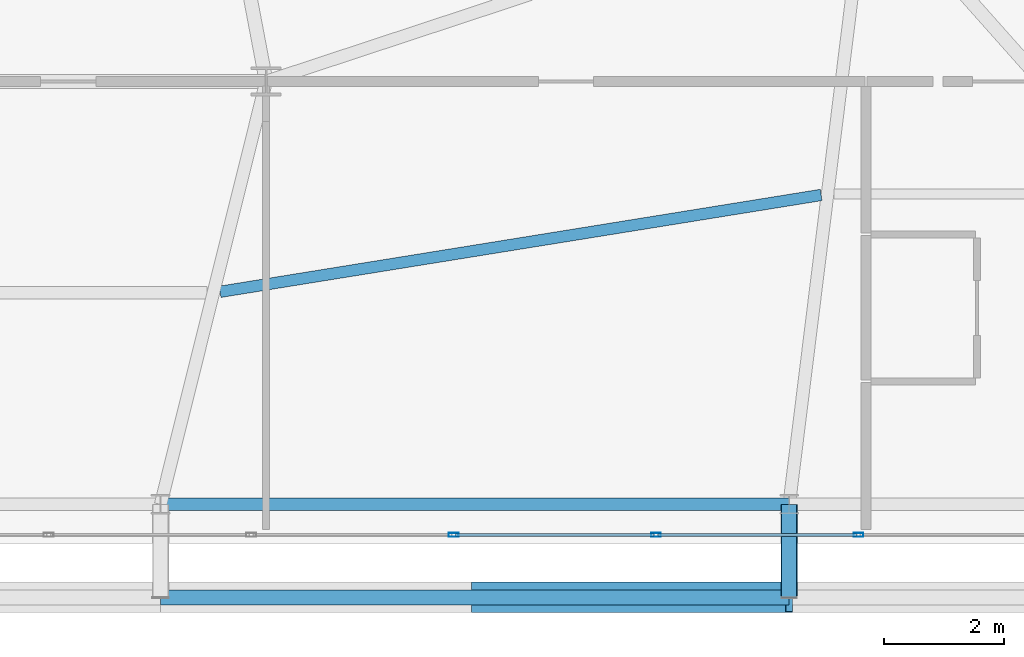
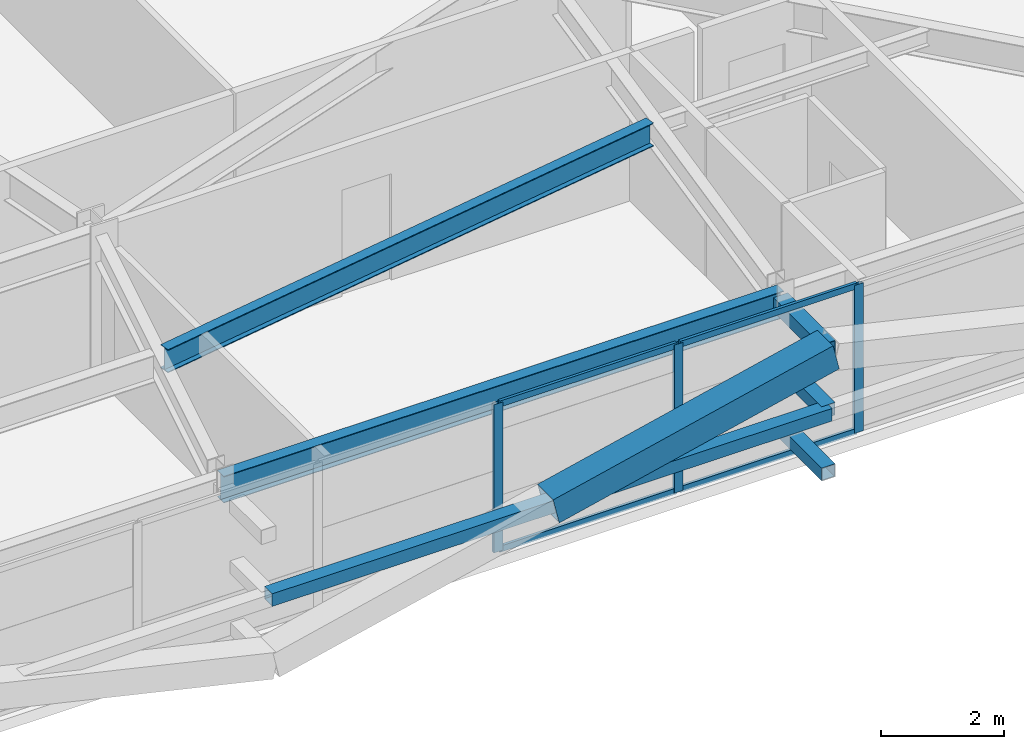
# One storey, part 21 of 58: 12 members, 2 beams, 1 element without a shape of its own.
"""IFC4 building model written with IfcOpenShell, lengths in metres."""

from ifc_helpers import new_model, si_unit, direction, frame, origin, origin_2d, place, context, subcontext, project, spatial, hollow_rectangle, i_section, extrude, source, transform, mapped, material, layer, layer_set, material_profile, profile_set, type_object, element, aggregate, save


model = new_model("IFC4")

# Units and contexts
model_context = context("Model", 3, precision=1e-05, world=origin(), true_north=direction((0.0, 1.0)))
body_context = subcontext(model_context, "Body", "Model", "MODEL_VIEW")
ifc_project = project(units=[si_unit("LENGTHUNIT", "METRE"), si_unit("AREAUNIT", "SQUARE_METRE"), si_unit("VOLUMEUNIT", "CUBIC_METRE"), si_unit("PLANEANGLEUNIT", "RADIAN"), si_unit("MASSUNIT", "GRAM", prefix="KILO")], contexts=[model_context])

# Site, building, storey
site_placement = place(None, origin())
site = spatial("IfcSite", under=ifc_project, at=site_placement, CompositionType="ELEMENT")
building_placement = place(site_placement, origin())
building = spatial("IfcBuilding", under=site, at=building_placement, Name="Taldren Reach Tower", CompositionType="ELEMENT")
storey_placement = place(building_placement, frame((0.0, 0.0, 32.550048828125)))
storey = spatial("IfcBuildingStorey", under=building, at=storey_placement, Name="L09", CompositionType="ELEMENT", Elevation=32.550048828125)

# Beams
ifc_material_1 = material(Name="Steel Gr 350 (350PLUS)", Category="steel")
ifc_material_profile_1 = material_profile(ifc_material_1, i_section(OverallWidth=0.208984375, OverallDepth=0.528076171875, WebThickness=0.009521484375, FlangeThickness=0.01318359375, at=origin_2d()), Name="530UB82.0")
ifc_profile_set_1 = profile_set([ifc_material_profile_1], Name="Steel Gr 350 (350PLUS)")
beam_type_1 = type_object("IfcBeamType", Name="SP-UB530B", PredefinedType="SPANDREL", material=ifc_profile_set_1)
shared_shape_1 = source(origin(), body_context, "Body", "SweptSolid", [
    extrude(i_section(OverallWidth=0.208984375, OverallDepth=0.528076171875, WebThickness=0.009521484375, FlangeThickness=0.01318359375, at=origin_2d()), origin(), (0.0, 0.0, 1.0), 10.47998046875),
])
beam_1_placement = place(storey_placement, frame((40.239990234375, 2.14990234375, 2.666015625), z_axis=(1.0, 0.0, 0.0), x_axis=(0.0, 1.0, 0.0)))
element("IfcBeam", 1, at=beam_1_placement, inside=storey, type_object=beam_type_1, Name="Perimeter spandrel B1 S4-S5 L09", PredefinedType="SPANDREL", context=body_context, shape_type="MappedRepresentation", body=[
    mapped(shared_shape_1, transform((0.0, 0.0, 0.0), scale=1.0)),
])
ifc_material_profile_2 = material_profile(ifc_material_1, i_section(OverallWidth=0.19091796875, OverallDepth=0.4599609375, WebThickness=0.010009765625, FlangeThickness=0.01611328125, at=origin_2d()), Name="460UB82.1")
ifc_profile_set_2 = profile_set([ifc_material_profile_2], Name="Steel Gr 350 (350PLUS)")
beam_type_2 = type_object("IfcBeamType", Name="BM-UB460A", PredefinedType="BEAM", material=ifc_profile_set_2)
shared_shape_2 = source(origin(), body_context, "Body", "SweptSolid", [
    extrude(i_section(OverallWidth=0.19091796875, OverallDepth=0.4599609375, WebThickness=0.010009765625, FlangeThickness=0.01611328125, at=origin_2d()), origin(), (0.0, 0.0, 1.0), 10.1494140625),
])
beam_2_placement = place(storey_placement, frame((41.232177734375, 5.693115234375, 2.699951171875), z_axis=(0.987266967452, 0.159072106224, 0.0), x_axis=(-0.159072106224, 0.987266967452, 0.0)))
element("IfcBeam", 2, at=beam_2_placement, inside=storey, type_object=beam_type_2, Name="Secondary floor beam B1 J4 L09", PredefinedType="BEAM", context=body_context, shape_type="MappedRepresentation", body=[
    mapped(shared_shape_2, transform((0.0, 0.0, 0.0), scale=1.0)),
])

# Members
ifc_material_2 = material(Name="Steel Gr 450 (C450L0)", Category="steel")
ifc_material_profile_3 = material_profile(ifc_material_2, hollow_rectangle(XDim=0.27490234375, YDim=0.27490234375, WallThickness=0.00927734375, at=origin_2d()), Name="275x275x9.3SHS")
ifc_profile_set_3 = profile_set([ifc_material_profile_3], Name="Steel Gr 450 (C450L0)")
member_type_1 = type_object("IfcMemberType", Name="MB-TIE273", PredefinedType="STRUT", material=ifc_profile_set_3)
shared_shape_3 = source(origin(), body_context, "Body", "SweptSolid", [
    extrude(hollow_rectangle(XDim=0.27490234375, YDim=0.27490234375, WallThickness=0.00927734375, at=origin_2d()), origin(), (0.0, 0.0, 1.0), 1.5498046875),
])
member_1_placement = place(storey_placement, frame((50.719970703125, 2.14990234375, 2.64990234375), z_axis=(0.0, -1.0, 0.0), x_axis=(1.0, 0.0, 0.0)))
element("IfcMember", 3, at=member_1_placement, inside=storey, type_object=member_type_1, Name="Exoskeleton diaphragm tie strut B1-S5 L09", PredefinedType="STRUT", context=body_context, shape_type="MappedRepresentation", body=[
    mapped(shared_shape_3, transform((0.0, 0.0, 0.0), scale=1.0)),
])
ifc_material_profile_4 = material_profile(ifc_material_2, hollow_rectangle(XDim=0.510009765625, YDim=0.510009765625, WallThickness=0.02001953125, at=origin_2d()), Name="510x510x20.0SHS")
ifc_profile_set_4 = profile_set([ifc_material_profile_4], Name="Steel Gr 450 (C450L0)")
member_type_2 = type_object("IfcMemberType", Name="MB-EXO508", PredefinedType="BRACE", material=ifc_profile_set_4)
shared_shape_4 = source(origin(), body_context, "Body", "SweptSolid", [
    extrude(hollow_rectangle(XDim=0.510009765625, YDim=0.510009765625, WallThickness=0.02001953125, at=origin_2d()), origin(), (0.0, 0.0, 1.0), 5.37890625),
])
member_2_placement = place(storey_placement, frame((45.47998046875, 0.60009765625, 1.43505859375), z_axis=(0.974161966843, 0.0, 0.225850531007), x_axis=(0.0, 1.0, 0.0)))
element("IfcMember", 4, at=member_2_placement, inside=storey, type_object=member_type_2, Name="Exoskeleton Diagrid Brace B1-S4 L09", PredefinedType="BRACE", context=body_context, shape_type="MappedRepresentation", body=[
    mapped(shared_shape_4, transform((0.0, 0.0, 0.0), scale=1.0)),
])
ifc_material_3 = material(Name="Steel Gr 350 (C350L0)", Category="steel")
ifc_material_profile_5 = material_profile(ifc_material_3, hollow_rectangle(XDim=0.25, YDim=0.25, WallThickness=0.010009765625, at=origin_2d()), Name="250x250x10.0SHS")
ifc_profile_set_5 = profile_set([ifc_material_profile_5], Name="Steel Gr 350 (C350L0)")
member_type_3 = type_object("IfcMemberType", Name="MB-POST250", PredefinedType="POST", material=ifc_profile_set_5)
shared_shape_5 = source(origin(), body_context, "Body", "SweptSolid", [
    extrude(hollow_rectangle(XDim=0.25, YDim=0.25, WallThickness=0.010009765625, at=origin_2d()), origin(), (0.0, 0.0, 1.0), 10.47998046875),
])
member_3_placement = place(storey_placement, frame((40.239990234375, 0.60009765625, 1.43505859375), z_axis=(1.0, 0.0, 0.0), x_axis=(0.0, 1.0, 0.0)))
element("IfcMember", 5, at=member_3_placement, inside=storey, type_object=member_type_3, Name="Exoskeleton mid-height ring chord B1-S4 L09", PredefinedType="POST", context=body_context, shape_type="MappedRepresentation", body=[
    mapped(shared_shape_5, transform((0.0, 0.0, 0.0), scale=1.0)),
])
shared_shape_6 = source(origin(), body_context, "Body", "SweptSolid", [
    extrude(hollow_rectangle(XDim=0.25, YDim=0.25, WallThickness=0.010009765625, at=origin_2d()), origin(), (0.0, 0.0, 1.0), 1.5498046875),
])
for number, where, z_axis, x_axis, name in (
    (6, (50.719970703125, 2.14990234375, 0.219970703125), (0.0, -1.0, 0.0), (1.0, 0.0, 0.0), "Exoskeleton base diaphragm tie strut B1-S5 L09"),
    (7, (50.719970703125, 2.14990234375, 1.43505859375), (0.0, -1.0, 0.0), (1.0, 0.0, 0.0), "Exoskeleton mid-tier diaphragm tie B1-S5 L09"),
):
    element("IfcMember", number, at=place(storey_placement, frame(where, z_axis=z_axis, x_axis=x_axis)), inside=storey, type_object=member_type_3, Name=name, PredefinedType="POST", context=body_context, shape_type="MappedRepresentation", body=[
        mapped(shared_shape_6, transform((0.0, 0.0, 0.0), scale=1.0)),
    ])

# Curtain wall, members
ifc_material_4 = material(Name="Aluminium and Low-E Glass Unitised System", Category="aluminium")
ifc_layer = layer(ifc_material_4, 0.159912109375)
ifc_layer_set = layer_set([ifc_layer], Name="Aluminium and Low-E Glass Unitised System")
curtain_wall_type = type_object("IfcCurtainWallType", Name="CW-SYS-2", PredefinedType="NOTDEFINED", material=ifc_layer_set)
curtain_wall_placement = place(storey_placement, origin())
curtain_wall = element("IfcCurtainWall", 8, at=curtain_wall_placement, inside=storey, type_object=curtain_wall_type, Name="Unitised curtain wall CW-L09-S", PredefinedType="NOTDEFINED")
ifc_material_5 = material(Name="Anodised Aluminium 6063-T6", Category="aluminium")
ifc_material_profile_6 = material_profile(ifc_material_5, hollow_rectangle(XDim=0.06494140625, YDim=0.1650390625, WallThickness=0.00390625, at=origin_2d()), Name="ALU-165x65x4RHS")
ifc_profile_set_6 = profile_set([ifc_material_profile_6], Name="Anodised Aluminium 6063-T6")
member_type_4 = type_object("IfcMemberType", Name="CW-MUL-165", PredefinedType="MULLION", material=ifc_profile_set_6)
shared_shape_7 = source(origin(), body_context, "Body", "SweptSolid", [
    extrude(hollow_rectangle(XDim=0.06494140625, YDim=0.1650390625, WallThickness=0.00390625, at=origin_2d()), origin(), (0.0, 0.0, 1.0), 2.929931640625),
])
member_4_placement = place(storey_placement, frame((45.125, 1.639892578125, 0.0), z_axis=(0.0, 0.0, 1.0), x_axis=(0.0, 1.0, 0.0)))
member_4 = element("IfcMember", 9, at=member_4_placement, type_object=member_type_4, Name="CW-2 mullion 12", PredefinedType="MULLION", context=body_context, shape_type="MappedRepresentation", body=[
    mapped(shared_shape_7, transform((0.0, 0.0, 0.0), scale=1.0)),
])
member_5_placement = place(storey_placement, frame((48.5, 1.639892578125, 0.0), z_axis=(0.0, 0.0, 1.0), x_axis=(0.0, 1.0, 0.0)))
member_5 = element("IfcMember", 10, at=member_5_placement, type_object=member_type_4, Name="CW-2 mullion 13", PredefinedType="MULLION", context=body_context, shape_type="MappedRepresentation", body=[
    mapped(shared_shape_7, transform((0.0, 0.0, 0.0), scale=1.0)),
])
member_6_placement = place(storey_placement, frame((51.875, 1.639892578125, 0.0), z_axis=(0.0, 0.0, 1.0), x_axis=(0.0, 1.0, 0.0)))
member_6 = element("IfcMember", 11, at=member_6_placement, type_object=member_type_4, Name="CW-2 mullion 14", PredefinedType="MULLION", context=body_context, shape_type="MappedRepresentation", body=[
    mapped(shared_shape_7, transform((0.0, 0.0, 0.0), scale=1.0)),
])
ifc_material_profile_7 = material_profile(ifc_material_5, hollow_rectangle(XDim=0.054931640625, YDim=0.1201171875, WallThickness=0.0029296875, at=origin_2d()), Name="ALU-120x55x3RHS")
ifc_profile_set_7 = profile_set([ifc_material_profile_7], Name="Anodised Aluminium 6063-T6")
member_type_5 = type_object("IfcMemberType", Name="CW-TRN-135", PredefinedType="USERDEFINED", material=ifc_profile_set_7)
shared_shape_8 = source(origin(), body_context, "Body", "SweptSolid", [
    extrude(hollow_rectangle(XDim=0.054931640625, YDim=0.1201171875, WallThickness=0.0029296875, at=origin_2d()), origin(), (0.0, 0.0, 1.0), 3.31005859375),
])
member_7_placement = place(storey_placement, frame((45.157470703125, 1.639892578125, 0.02734375), z_axis=(1.0, 0.0, 0.0), x_axis=(0.0, 1.0, 0.0)))
member_7 = element("IfcMember", 12, at=member_7_placement, type_object=member_type_5, Name="CW-2 transom 12.1", ObjectType="TRANSOM", PredefinedType="USERDEFINED", context=body_context, shape_type="MappedRepresentation", body=[
    mapped(shared_shape_8, transform((0.0, 0.0, 0.0), scale=1.0)),
])
member_8_placement = place(storey_placement, frame((45.157470703125, 1.639892578125, 2.90234375), z_axis=(1.0, 0.0, 0.0), x_axis=(0.0, 1.0, 0.0)))
member_8 = element("IfcMember", 13, at=member_8_placement, type_object=member_type_5, Name="CW-2 transom 12.2", ObjectType="TRANSOM", PredefinedType="USERDEFINED", context=body_context, shape_type="MappedRepresentation", body=[
    mapped(shared_shape_8, transform((0.0, 0.0, 0.0), scale=1.0)),
])
member_9_placement = place(storey_placement, frame((48.532470703125, 1.639892578125, 0.02734375), z_axis=(1.0, 0.0, 0.0), x_axis=(0.0, 1.0, 0.0)))
member_9 = element("IfcMember", 14, at=member_9_placement, type_object=member_type_5, Name="CW-2 transom 13.1", ObjectType="TRANSOM", PredefinedType="USERDEFINED", context=body_context, shape_type="MappedRepresentation", body=[
    mapped(shared_shape_8, transform((0.0, 0.0, 0.0), scale=1.0)),
])
member_10_placement = place(storey_placement, frame((48.532470703125, 1.639892578125, 2.90234375), z_axis=(1.0, 0.0, 0.0), x_axis=(0.0, 1.0, 0.0)))
member_10 = element("IfcMember", 15, at=member_10_placement, type_object=member_type_5, Name="CW-2 transom 13.2", ObjectType="TRANSOM", PredefinedType="USERDEFINED", context=body_context, shape_type="MappedRepresentation", body=[
    mapped(shared_shape_8, transform((0.0, 0.0, 0.0), scale=1.0)),
])
aggregate(curtain_wall, [member_4, member_5, member_6, member_7, member_8, member_9, member_10])

save(model, "model.ifc")
